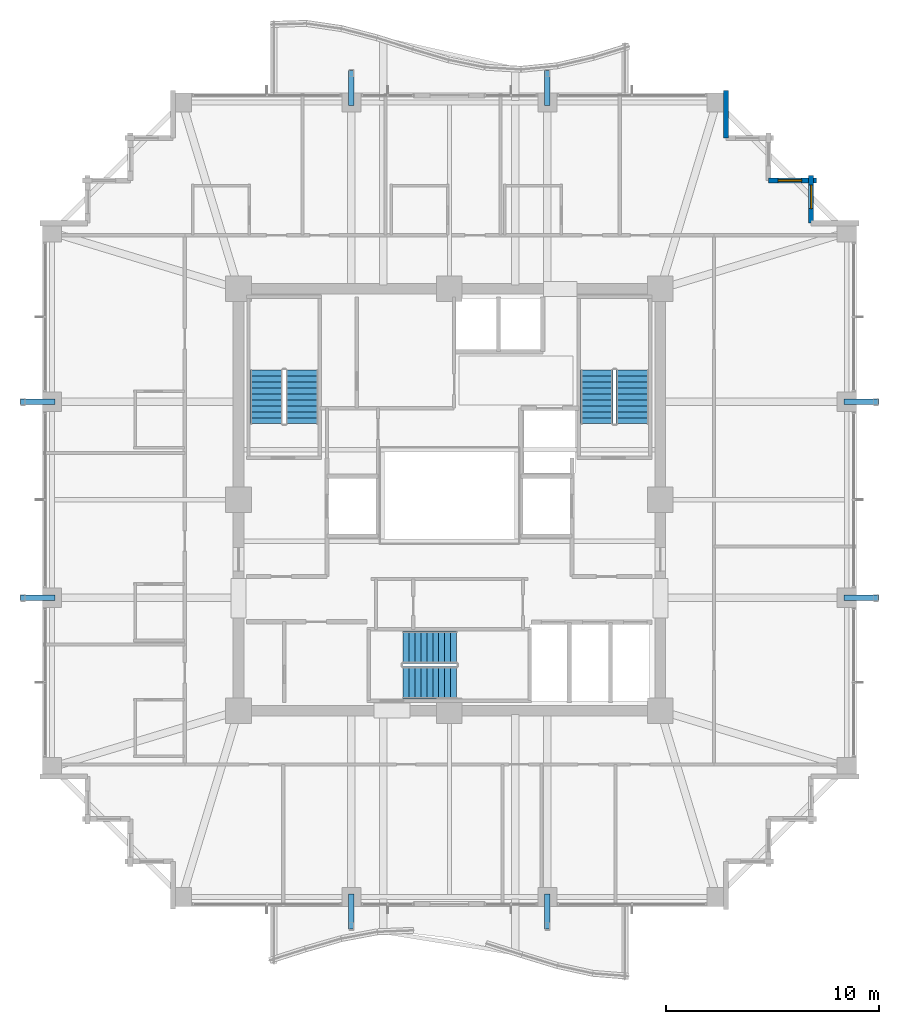
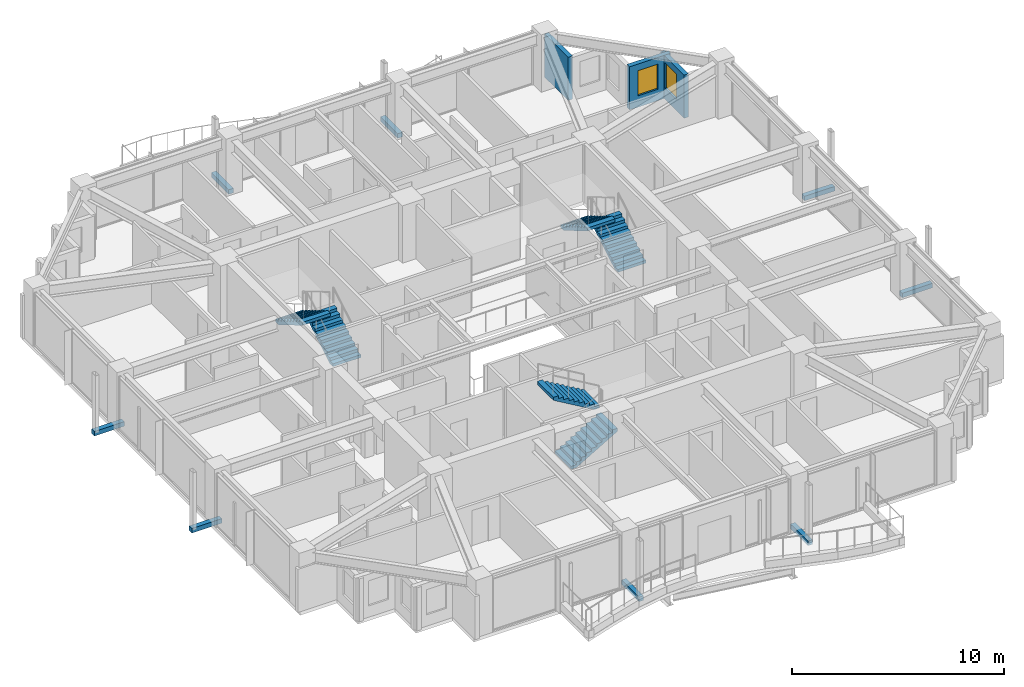
# One storey, part 30 of 32: 8 discrete accessories, 6 stair flights, 3 walls, 2 windows, 2 openings, 3 elements without a shape of their own.
"""IFC4 building model written with IfcOpenShell, lengths in metres."""

from ifc_helpers import new_model, si_unit, direction, frame, frame_2d, origin, origin_2d, place, context, subcontext, project, spatial, polyline, rectangle, outline, extrude, material, layer, layer_set, type_object, element, fill, aggregate, save


model = new_model("IFC4")

# Units and contexts
model_context = context("Model", 3, precision=1e-05, world=origin(), true_north=direction((0.0, 1.0)))
body_context = subcontext(model_context, "Body", "Model", "MODEL_VIEW")
ifc_project = project(units=[si_unit("LENGTHUNIT", "METRE"), si_unit("AREAUNIT", "SQUARE_METRE"), si_unit("VOLUMEUNIT", "CUBIC_METRE"), si_unit("PLANEANGLEUNIT", "RADIAN"), si_unit("MASSUNIT", "GRAM", prefix="KILO")], contexts=[model_context])

# Site, building, storey
site_placement = place(None, origin())
site = spatial("IfcSite", under=ifc_project, at=site_placement, CompositionType="ELEMENT")
building_placement = place(site_placement, origin())
building = spatial("IfcBuilding", under=site, at=building_placement, Name="Kolvaren Belvedere", CompositionType="ELEMENT")
storey_placement = place(building_placement, frame((0.0, 0.0, 160.199951171875)))
storey = spatial("IfcBuildingStorey", under=building, at=storey_placement, Name="L46", CompositionType="ELEMENT", Elevation=160.199951171875)

# Wall, opening, window
ifc_material_1 = material(Name="Insulated pale-metal facade wall assembly", Category="aluminium")
ifc_layer = layer(ifc_material_1, 0.239990234375)
ifc_layer_set = layer_set([ifc_layer], Name="Insulated pale-metal facade wall assembly")
wall_type = type_object("IfcWallType", Name="WL-EXT-240", PredefinedType="STANDARD", material=ifc_layer_set)
wall_1_placement = place(storey_placement, frame((16.97998046875, 15.219970703125, 0.0), z_axis=(0.0, 0.0, 1.0), x_axis=(0.0, -1.0, 0.0)))
wall_1 = element("IfcWall", 1, at=wall_1_placement, inside=storey, type_object=wall_type, Name="L46 Serrated Corner Facade Wall 10", PredefinedType="STANDARD", context=body_context, shape_type="SweptSolid", body=[
    extrude(rectangle(XDim=2.239990234375, YDim=0.239990234375, at=frame_2d((1.1201171875, 0.0))), origin(), (0.0, 0.0, 1.0), 2.483154296875),
])
opening_1_placement = place(wall_1_placement, frame((0.449951171875, 0.0, 0.64990234375)))
opening_1 = element("IfcOpeningElement", 2, at=opening_1_placement, cuts=wall_1, Name="Opening W-1100", PredefinedType="OPENING", context=body_context, shape_type="SweptSolid", body=[
    extrude(rectangle(XDim=1.10009765625, YDim=1.449951171875, at=frame_2d((0.550048828125, 0.72509765625))), frame((0.0, 0.1298828125, 0.0), z_axis=(0.0, -1.0, 0.0), x_axis=(1.0, 0.0, 0.0)), (0.0, 0.0, 1.0), 0.260009765625),
])
ifc_material_2 = material(Name="Low-iron triple insulated glass", Category="glass")
window_type = type_object("IfcWindowType", Name="WN-CORN-1100", PartitioningType="SINGLE_PANEL", PredefinedType="WINDOW", material=ifc_material_2)
window_1_placement = place(opening_1_placement, origin())
window_1 = element("IfcWindow", 3, at=window_1_placement, inside=storey, type_object=window_type, Name="L46 Serrated Corner Vision Window 10", OverallHeight=1.449951171875, OverallWidth=1.10009765625, PartitioningType="SINGLE_PANEL", PredefinedType="WINDOW", context=body_context, shape_type="SweptSolid", body=[
    extrude(rectangle(XDim=1.10009765625, YDim=1.449951171875, at=frame_2d((0.550048828125, 0.72509765625))), frame((0.0, 0.030029296875, 0.0), z_axis=(0.0, -1.0, 0.0), x_axis=(1.0, 0.0, 0.0)), (0.0, 0.0, 1.0), 0.06005859375),
])
fill(opening_1, window_1)

wall_2_placement = place(storey_placement, frame((14.97998046875, 14.97998046875, 0.0), z_axis=(0.0, 0.0, 1.0), x_axis=(1.0, 0.0, 0.0)))
wall_2 = element("IfcWall", 4, at=wall_2_placement, inside=storey, type_object=wall_type, Name="L46 Serrated Corner Facade Wall 11", PredefinedType="STANDARD", context=body_context, shape_type="SweptSolid", body=[
    extrude(rectangle(XDim=2.239990234375, YDim=0.239990234375, at=frame_2d((1.1201171875, 0.0))), origin(), (0.0, 0.0, 1.0), 2.483154296875),
])
opening_2_placement = place(wall_2_placement, frame((0.449951171875, 0.0, 0.64990234375)))
opening_2 = element("IfcOpeningElement", 5, at=opening_2_placement, cuts=wall_2, Name="Opening W-1100", PredefinedType="OPENING", context=body_context, shape_type="SweptSolid", body=[
    extrude(rectangle(XDim=1.10009765625, YDim=1.449951171875, at=frame_2d((0.550048828125, 0.72509765625))), frame((0.0, 0.1298828125, 0.0), z_axis=(0.0, -1.0, 0.0), x_axis=(1.0, 0.0, 0.0)), (0.0, 0.0, 1.0), 0.260009765625),
])
window_2_placement = place(opening_2_placement, origin())
window_2 = element("IfcWindow", 6, at=window_2_placement, inside=storey, type_object=window_type, Name="L46 Serrated Corner Vision Window 11", OverallHeight=1.449951171875, OverallWidth=1.10009765625, PartitioningType="SINGLE_PANEL", PredefinedType="WINDOW", context=body_context, shape_type="SweptSolid", body=[
    extrude(rectangle(XDim=1.10009765625, YDim=1.449951171875, at=frame_2d((0.550048828125, 0.72509765625))), frame((0.0, 0.030029296875, 0.0), z_axis=(0.0, -1.0, 0.0), x_axis=(1.0, 0.0, 0.0)), (0.0, 0.0, 1.0), 0.06005859375),
])
fill(opening_2, window_2)

# Wall
wall_3_placement = place(storey_placement, frame((12.97998046875, 19.219970703125, 0.0), z_axis=(0.0, 0.0, 1.0), x_axis=(0.0, -1.0, 0.0)))
element("IfcWall", 7, at=wall_3_placement, inside=storey, type_object=wall_type, Name="L46 Serrated Corner Facade Wall 14", PredefinedType="STANDARD", context=body_context, shape_type="SweptSolid", body=[
    extrude(rectangle(XDim=2.239990234375, YDim=0.239990234375, at=frame_2d((1.1201171875, 0.0))), origin(), (0.0, 0.0, 1.0), 2.483154296875),
])

# Stair, stair flights
ifc_material_3 = material(Name="Concrete C50/60", Category="concrete")
stair_type = type_object("IfcStairType", Name="ST-CORE-1520", PredefinedType="HALF_TURN_STAIR", material=ifc_material_3)
stair_1_placement = place(storey_placement, origin())
stair_1 = element("IfcStair", 8, at=stair_1_placement, inside=storey, type_object=stair_type, Name="L46 Protected Exit Stair ST-1", PredefinedType="HALF_TURN_STAIR")
ifc_material_4 = material(Name="Concrete C50/60", Category="concrete")
stair_flight_type = type_object("IfcStairFlightType", Name="SF-STR-1520", PredefinedType="STRAIGHT", material=ifc_material_4)
stair_flight_1_placement = place(storey_placement, frame((-6.919921875, 3.570068359375, 0.0), z_axis=(0.0, 0.0, 1.0), x_axis=(0.0, 1.0, 0.0)))
stair_flight_1 = element("IfcStairFlight", 9, at=stair_flight_1_placement, type_object=stair_flight_type, Name="ST-1 flight 1", NumberOfRisers=10, NumberOfTreads=9, PredefinedType="STRAIGHT", RiserHeight=0.165, TreadLength=0.28, context=body_context, shape_type="SweptSolid", body=[
    extrude(outline(polyline([(0.0, 0.0), (0.0, 0.1650390625), (0.280029296875, 0.1650390625), (0.280029296875, 0.330078125), (0.56005859375, 0.330078125), (0.56005859375, 0.4951171875), (0.840087890625, 0.4951171875), (0.840087890625, 0.659912109375), (1.1201171875, 0.659912109375), (1.1201171875, 0.824951171875), (1.39990234375, 0.824951171875), (1.39990234375, 0.989990234375), (1.679931640625, 0.989990234375), (1.679931640625, 1.155029296875), (1.9599609375, 1.155029296875), (1.9599609375, 1.320068359375), (2.239990234375, 1.320068359375), (2.239990234375, 1.485107421875), (2.52001953125, 1.485107421875), (2.52001953125, 1.64990234375), (2.52001953125, 1.31103515625), (0.295166015625, 0.0), (0.0, 0.0)])), frame((0.0, 0.760009765625, 0.0), z_axis=(0.0, -1.0, 0.0), x_axis=(1.0, 0.0, 0.0)), (0.0, 0.0, 1.0), 1.52001953125),
])
stair_flight_2_placement = place(storey_placement, frame((-8.590087890625, 6.090087890625, 1.650146484375), z_axis=(0.0, 0.0, 1.0), x_axis=(0.0, -1.0, 0.0)))
stair_flight_2 = element("IfcStairFlight", 10, at=stair_flight_2_placement, type_object=stair_flight_type, Name="ST-1 flight 2", NumberOfRisers=10, NumberOfTreads=9, PredefinedType="STRAIGHT", RiserHeight=0.165, TreadLength=0.28, context=body_context, shape_type="SweptSolid", body=[
    extrude(outline(polyline([(0.0, 0.0), (0.0, 0.1650390625), (0.280029296875, 0.1650390625), (0.280029296875, 0.330078125), (0.56005859375, 0.330078125), (0.56005859375, 0.4951171875), (0.840087890625, 0.4951171875), (0.840087890625, 0.659912109375), (1.1201171875, 0.659912109375), (1.1201171875, 0.824951171875), (1.39990234375, 0.824951171875), (1.39990234375, 0.989990234375), (1.679931640625, 0.989990234375), (1.679931640625, 1.155029296875), (1.9599609375, 1.155029296875), (1.9599609375, 1.320068359375), (2.239990234375, 1.320068359375), (2.239990234375, 1.485107421875), (2.52001953125, 1.485107421875), (2.52001953125, 1.64990234375), (2.52001953125, 1.31103515625), (0.295166015625, 0.0), (0.0, 0.0)])), frame((0.0, 0.760009765625, 0.0), z_axis=(0.0, -1.0, 0.0), x_axis=(1.0, 0.0, 0.0)), (0.0, 0.0, 1.0), 1.52001953125),
])
aggregate(stair_1, [stair_flight_1, stair_flight_2])

stair_2_placement = place(storey_placement, origin())
stair_2 = element("IfcStair", 11, at=stair_2_placement, inside=storey, type_object=stair_type, Name="L46 Protected Exit Stair ST-2", PredefinedType="HALF_TURN_STAIR")
stair_flight_3_placement = place(storey_placement, frame((8.590087890625, 3.570068359375, 0.0), z_axis=(0.0, 0.0, 1.0), x_axis=(0.0, 1.0, 0.0)))
stair_flight_3 = element("IfcStairFlight", 12, at=stair_flight_3_placement, type_object=stair_flight_type, Name="ST-2 flight 1", NumberOfRisers=10, NumberOfTreads=9, PredefinedType="STRAIGHT", RiserHeight=0.165, TreadLength=0.28, context=body_context, shape_type="SweptSolid", body=[
    extrude(outline(polyline([(0.0, 0.0), (0.0, 0.1650390625), (0.280029296875, 0.1650390625), (0.280029296875, 0.330078125), (0.56005859375, 0.330078125), (0.56005859375, 0.4951171875), (0.840087890625, 0.4951171875), (0.840087890625, 0.659912109375), (1.1201171875, 0.659912109375), (1.1201171875, 0.824951171875), (1.39990234375, 0.824951171875), (1.39990234375, 0.989990234375), (1.679931640625, 0.989990234375), (1.679931640625, 1.155029296875), (1.9599609375, 1.155029296875), (1.9599609375, 1.320068359375), (2.239990234375, 1.320068359375), (2.239990234375, 1.485107421875), (2.52001953125, 1.485107421875), (2.52001953125, 1.64990234375), (2.52001953125, 1.31103515625), (0.295166015625, 0.0), (0.0, 0.0)])), frame((0.0, 0.760009765625, 0.0), z_axis=(0.0, -1.0, 0.0), x_axis=(1.0, 0.0, 0.0)), (0.0, 0.0, 1.0), 1.52001953125),
])
stair_flight_4_placement = place(storey_placement, frame((6.919921875, 6.090087890625, 1.650146484375), z_axis=(0.0, 0.0, 1.0), x_axis=(0.0, -1.0, 0.0)))
stair_flight_4 = element("IfcStairFlight", 13, at=stair_flight_4_placement, type_object=stair_flight_type, Name="ST-2 flight 2", NumberOfRisers=10, NumberOfTreads=9, PredefinedType="STRAIGHT", RiserHeight=0.165, TreadLength=0.28, context=body_context, shape_type="SweptSolid", body=[
    extrude(outline(polyline([(0.0, 0.0), (0.0, 0.1650390625), (0.280029296875, 0.1650390625), (0.280029296875, 0.330078125), (0.56005859375, 0.330078125), (0.56005859375, 0.4951171875), (0.840087890625, 0.4951171875), (0.840087890625, 0.659912109375), (1.1201171875, 0.659912109375), (1.1201171875, 0.824951171875), (1.39990234375, 0.824951171875), (1.39990234375, 0.989990234375), (1.679931640625, 0.989990234375), (1.679931640625, 1.155029296875), (1.9599609375, 1.155029296875), (1.9599609375, 1.320068359375), (2.239990234375, 1.320068359375), (2.239990234375, 1.485107421875), (2.52001953125, 1.485107421875), (2.52001953125, 1.64990234375), (2.52001953125, 1.31103515625), (0.295166015625, 0.0), (0.0, 0.0)])), frame((0.0, 0.760009765625, 0.0), z_axis=(0.0, -1.0, 0.0), x_axis=(1.0, 0.0, 0.0)), (0.0, 0.0, 1.0), 1.52001953125),
])
aggregate(stair_2, [stair_flight_3, stair_flight_4])

stair_3_placement = place(storey_placement, origin())
stair_3 = element("IfcStair", 14, at=stair_3_placement, inside=storey, type_object=stair_type, Name="L46 Protected Exit Stair ST-3", PredefinedType="HALF_TURN_STAIR")
stair_flight_5_placement = place(storey_placement, frame((-2.179931640625, -8.590087890625, 0.0), z_axis=(0.0, 0.0, 1.0), x_axis=(1.0, 0.0, 0.0)))
stair_flight_5 = element("IfcStairFlight", 15, at=stair_flight_5_placement, type_object=stair_flight_type, Name="ST-3 flight 1", NumberOfRisers=10, NumberOfTreads=9, PredefinedType="STRAIGHT", RiserHeight=0.165, TreadLength=0.28, context=body_context, shape_type="SweptSolid", body=[
    extrude(outline(polyline([(0.0, 0.0), (0.0, 0.1650390625), (0.280029296875, 0.1650390625), (0.280029296875, 0.330078125), (0.56005859375, 0.330078125), (0.56005859375, 0.4951171875), (0.840087890625, 0.4951171875), (0.840087890625, 0.659912109375), (1.1201171875, 0.659912109375), (1.1201171875, 0.824951171875), (1.39990234375, 0.824951171875), (1.39990234375, 0.989990234375), (1.679931640625, 0.989990234375), (1.679931640625, 1.155029296875), (1.9599609375, 1.155029296875), (1.9599609375, 1.320068359375), (2.239990234375, 1.320068359375), (2.239990234375, 1.485107421875), (2.52001953125, 1.485107421875), (2.52001953125, 1.64990234375), (2.52001953125, 1.31103515625), (0.295166015625, 0.0), (0.0, 0.0)])), frame((0.0, 0.760009765625, 0.0), z_axis=(0.0, -1.0, 0.0), x_axis=(1.0, 0.0, 0.0)), (0.0, 0.0, 1.0), 1.52001953125),
])
stair_flight_6_placement = place(storey_placement, frame((0.340087890625, -6.919921875, 1.650146484375), z_axis=(0.0, 0.0, 1.0), x_axis=(-1.0, 0.0, 0.0)))
stair_flight_6 = element("IfcStairFlight", 16, at=stair_flight_6_placement, type_object=stair_flight_type, Name="ST-3 flight 2", NumberOfRisers=10, NumberOfTreads=9, PredefinedType="STRAIGHT", RiserHeight=0.165, TreadLength=0.28, context=body_context, shape_type="SweptSolid", body=[
    extrude(outline(polyline([(0.0, 0.0), (0.0, 0.1650390625), (0.280029296875, 0.1650390625), (0.280029296875, 0.330078125), (0.56005859375, 0.330078125), (0.56005859375, 0.4951171875), (0.840087890625, 0.4951171875), (0.840087890625, 0.659912109375), (1.1201171875, 0.659912109375), (1.1201171875, 0.824951171875), (1.39990234375, 0.824951171875), (1.39990234375, 0.989990234375), (1.679931640625, 0.989990234375), (1.679931640625, 1.155029296875), (1.9599609375, 1.155029296875), (1.9599609375, 1.320068359375), (2.239990234375, 1.320068359375), (2.239990234375, 1.485107421875), (2.52001953125, 1.485107421875), (2.52001953125, 1.64990234375), (2.52001953125, 1.31103515625), (0.295166015625, 0.0), (0.0, 0.0)])), frame((0.0, 0.760009765625, 0.0), z_axis=(0.0, -1.0, 0.0), x_axis=(1.0, 0.0, 0.0)), (0.0, 0.0, 1.0), 1.52001953125),
])
aggregate(stair_3, [stair_flight_5, stair_flight_6])

# Discrete accessories
ifc_material_5 = material(Name="Structural steel ASTM A572 Grade 50", Category="steel")
discrete_accessory_type = type_object("IfcDiscreteAccessoryType", Name="BRK-1 Steel Facade Support Bracket", PredefinedType="BRACKET", material=ifc_material_5)
for number, where, z_axis, x_axis, name in (
    (17, (-4.60009765625, 19.3349609375, -0.169921875), (0.0, 0.0, 1.0), (0.0, 1.0, 0.0), "L46 Picture-Frame Outrigger Cleat Bracket N1"),
    (18, (4.60009765625, 19.3349609375, -0.169921875), (0.0, 0.0, 1.0), (0.0, 1.0, 0.0), "L46 Picture-Frame Outrigger Cleat Bracket N2"),
    (19, (4.60009765625, -19.3349609375, -0.169921875), (0.0, 0.0, 1.0), (0.0, 1.0, 0.0), "L46 Picture-Frame Outrigger Cleat Bracket S1"),
    (20, (-4.60009765625, -19.3349609375, -0.169921875), (0.0, 0.0, 1.0), (0.0, 1.0, 0.0), "L46 Picture-Frame Outrigger Cleat Bracket S2"),
    (21, (19.3349609375, 4.60009765625, -0.169921875), (0.0, 0.0, 1.0), (1.0, 0.0, 0.0), "L46 Picture-Frame Outrigger Cleat Bracket E1"),
    (22, (19.3349609375, -4.60009765625, -0.169921875), (0.0, 0.0, 1.0), (1.0, 0.0, 0.0), "L46 Picture-Frame Outrigger Cleat Bracket E2"),
    (23, (-19.3349609375, -4.60009765625, -0.169921875), (0.0, 0.0, 1.0), (1.0, 0.0, 0.0), "L46 Picture-Frame Outrigger Cleat Bracket W1"),
    (24, (-19.3349609375, 4.60009765625, -0.169921875), (0.0, 0.0, 1.0), (1.0, 0.0, 0.0), "L46 Picture-Frame Outrigger Cleat Bracket W2"),
):
    element("IfcDiscreteAccessory", number, at=place(storey_placement, frame(where, z_axis=z_axis, x_axis=x_axis)), inside=storey, type_object=discrete_accessory_type, Name=name, PredefinedType="BRACKET", context=body_context, shape_type="SweptSolid", body=[
        extrude(rectangle(XDim=1.639892578125, YDim=0.260009765625, at=origin_2d()), origin(), (0.0, 0.0, 1.0), 0.260009765625),
    ])

save(model, "model.ifc")
